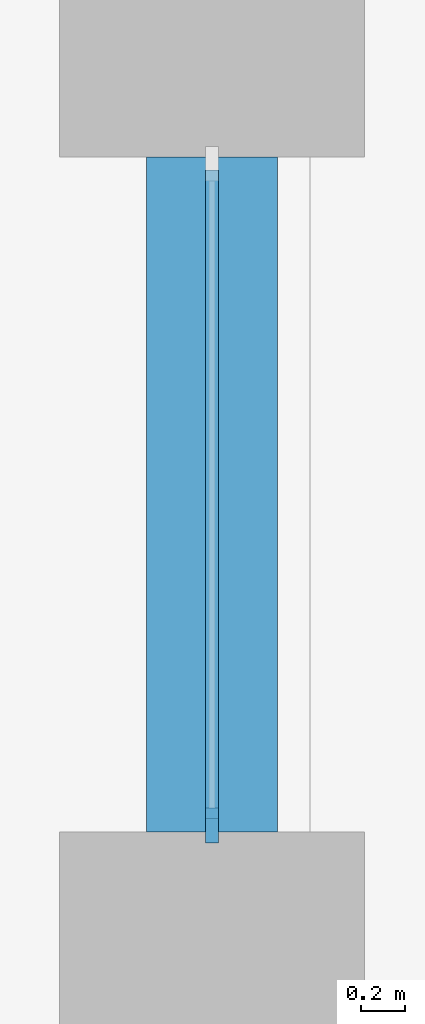
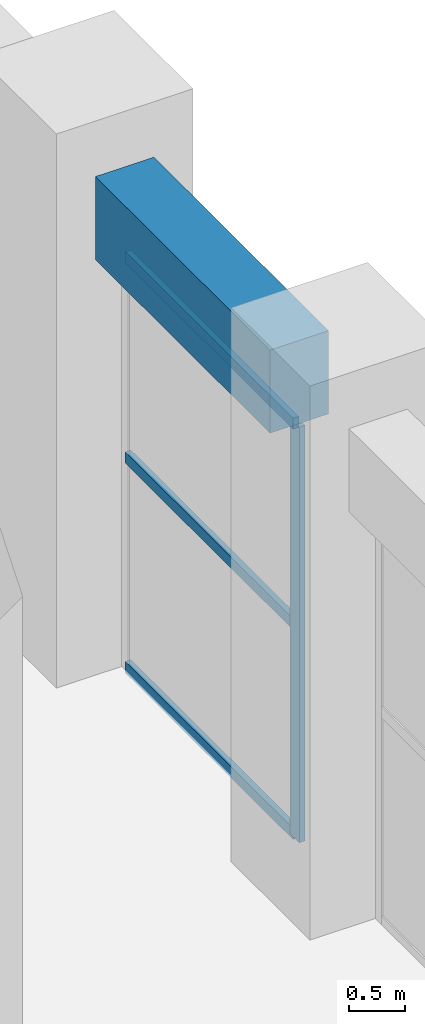
# One storey, part 5 of 19: 4 members, 1 beam, 1 element without a shape of its own.
"""IFC4 building model written with IfcOpenShell, lengths in metres."""

from ifc_helpers import new_model, si_unit, direction, frame, origin, origin_2d, place, context, subcontext, project, spatial, rectangle, extrude, material, material_profile, profile_set, type_object, element, aggregate, save


model = new_model("IFC4")

# Units and contexts
model_context = context("Model", 3, precision=1e-05, world=origin(), true_north=direction((0.0, 1.0)))
body_context = subcontext(model_context, "Body", "Model", "MODEL_VIEW")
ifc_project = project(units=[si_unit("LENGTHUNIT", "METRE"), si_unit("AREAUNIT", "SQUARE_METRE"), si_unit("VOLUMEUNIT", "CUBIC_METRE"), si_unit("PLANEANGLEUNIT", "RADIAN"), si_unit("MASSUNIT", "GRAM", prefix="KILO")], contexts=[model_context])

# Site, building, storey
site_placement = place(None, origin())
site = spatial("IfcSite", under=ifc_project, at=site_placement, CompositionType="ELEMENT")
building_placement = place(site_placement, origin())
building = spatial("IfcBuilding", under=site, at=building_placement, Name="Corbel Stack Research Tower", CompositionType="ELEMENT")
storey_placement = place(building_placement, frame((0.0, 0.0, 70.60009765625)))
storey = spatial("IfcBuildingStorey", under=building, at=storey_placement, Name="L16", CompositionType="ELEMENT", Elevation=70.60009765625)

# Curtain wall, members
ifc_material_1 = material(Name="Aluminium frame, clear glass", Category="aluminium")
curtain_wall_type = type_object("IfcCurtainWallType", Name="Amenity floor curtain wall CW2", PredefinedType="NOTDEFINED", material=ifc_material_1)
curtain_wall_placement = place(storey_placement, origin())
curtain_wall = element("IfcCurtainWall", 1, at=curtain_wall_placement, inside=storey, type_object=curtain_wall_type, Name="Curtain wall CW2 L16 E06", PredefinedType="NOTDEFINED")
ifc_material_2 = material(Name="Aluminium mullion", Category="aluminium")
ifc_material_profile_1 = material_profile(ifc_material_2, rectangle(XDim=0.06005859375, YDim=0.159912109375, at=origin_2d()), Name="Mullion 60 x 160")
ifc_profile_set_1 = profile_set([ifc_material_profile_1], Name="Aluminium mullion")
member_type_1 = type_object("IfcMemberType", Name="Curtain wall mullion 60 x 160", PredefinedType="MULLION", material=ifc_profile_set_1)
member_1_placement = place(storey_placement, frame((31.5, 0.72998046875, 0.0), z_axis=(0.0, 0.0, 1.0), x_axis=(-1.0, 0.0, 0.0)))
member_1 = element("IfcMember", 2, at=member_1_placement, type_object=member_type_1, Name="CW2 L16 E06 mullion 1", PredefinedType="MULLION", context=body_context, shape_type="SweptSolid", body=[
    extrude(rectangle(XDim=0.06005859375, YDim=0.159912109375, at=origin_2d()), origin(), (0.0, 0.0, 1.0), 4.5),
])
ifc_material_3 = material(Name="Aluminium transom", Category="aluminium")
ifc_material_profile_2 = material_profile(ifc_material_3, rectangle(XDim=0.06005859375, YDim=0.1201171875, at=origin_2d()), Name="Transom 60 x 120")
ifc_profile_set_2 = profile_set([ifc_material_profile_2], Name="Aluminium transom")
member_type_2 = type_object("IfcMemberType", Name="Curtain wall transom 60 x 120", PredefinedType="USERDEFINED", material=ifc_profile_set_2)
member_2_placement = place(storey_placement, frame((31.5, 0.760009765625, 0.02978515625), z_axis=(0.0, 1.0, 0.0), x_axis=(-1.0, 0.0, 0.0)))
member_2 = element("IfcMember", 3, at=member_2_placement, type_object=member_type_2, Name="CW2 L16 E06 transom 1.1", ObjectType="TRANSOM", PredefinedType="USERDEFINED", context=body_context, shape_type="SweptSolid", body=[
    extrude(rectangle(XDim=0.06005859375, YDim=0.1201171875, at=origin_2d()), origin(), (0.0, 0.0, 1.0), 2.97998046875),
])
member_3_placement = place(storey_placement, frame((31.5, 0.760009765625, 2.2998046875), z_axis=(0.0, 1.0, 0.0), x_axis=(-1.0, 0.0, 0.0)))
member_3 = element("IfcMember", 4, at=member_3_placement, type_object=member_type_2, Name="CW2 L16 E06 transom 1.2", ObjectType="TRANSOM", PredefinedType="USERDEFINED", context=body_context, shape_type="SweptSolid", body=[
    extrude(rectangle(XDim=0.06005859375, YDim=0.1201171875, at=origin_2d()), origin(), (0.0, 0.0, 1.0), 2.97998046875),
])
member_4_placement = place(storey_placement, frame((31.5, 0.760009765625, 4.469970703125), z_axis=(0.0, 1.0, 0.0), x_axis=(-1.0, 0.0, 0.0)))
member_4 = element("IfcMember", 5, at=member_4_placement, type_object=member_type_2, Name="CW2 L16 E06 transom 1.3", ObjectType="TRANSOM", PredefinedType="USERDEFINED", context=body_context, shape_type="SweptSolid", body=[
    extrude(rectangle(XDim=0.06005859375, YDim=0.1201171875, at=origin_2d()), origin(), (0.0, 0.0, 1.0), 2.97998046875),
])
aggregate(curtain_wall, [member_1, member_2, member_3, member_4])

# Beam
ifc_material_4 = material(Name="Concrete C60/75", Category="concrete")
ifc_material_profile_3 = material_profile(ifc_material_4, rectangle(XDim=0.60009765625, YDim=0.89990234375, at=origin_2d()), Name="RC 600 x 900")
ifc_profile_set_3 = profile_set([ifc_material_profile_3], Name="Concrete C60/75")
beam_type = type_object("IfcBeamType", Name="SB-600-900-600", PredefinedType="SPANDREL", material=ifc_profile_set_3)
beam_placement = place(storey_placement, frame((31.5, 0.699951171875, 4.949951171875), z_axis=(0.0, 1.0, 0.0), x_axis=(-1.0, 0.0, 0.0)))
element("IfcBeam", 6, at=beam_placement, inside=storey, type_object=beam_type, Name="Spandrel beam L16-17", PredefinedType="SPANDREL", context=body_context, shape_type="SweptSolid", body=[
    extrude(rectangle(XDim=0.60009765625, YDim=0.89990234375, at=origin_2d()), origin(), (0.0, 0.0, 1.0), 3.10009765625),
])

save(model, "model.ifc")
